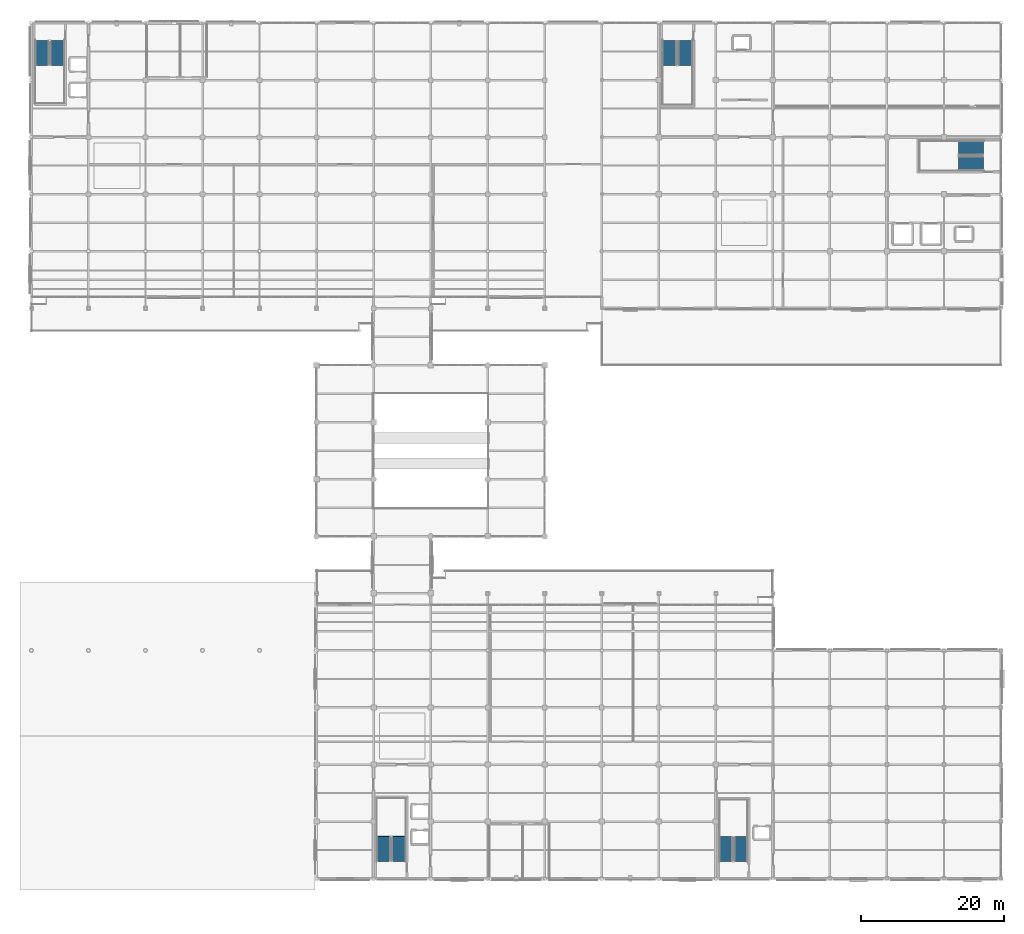
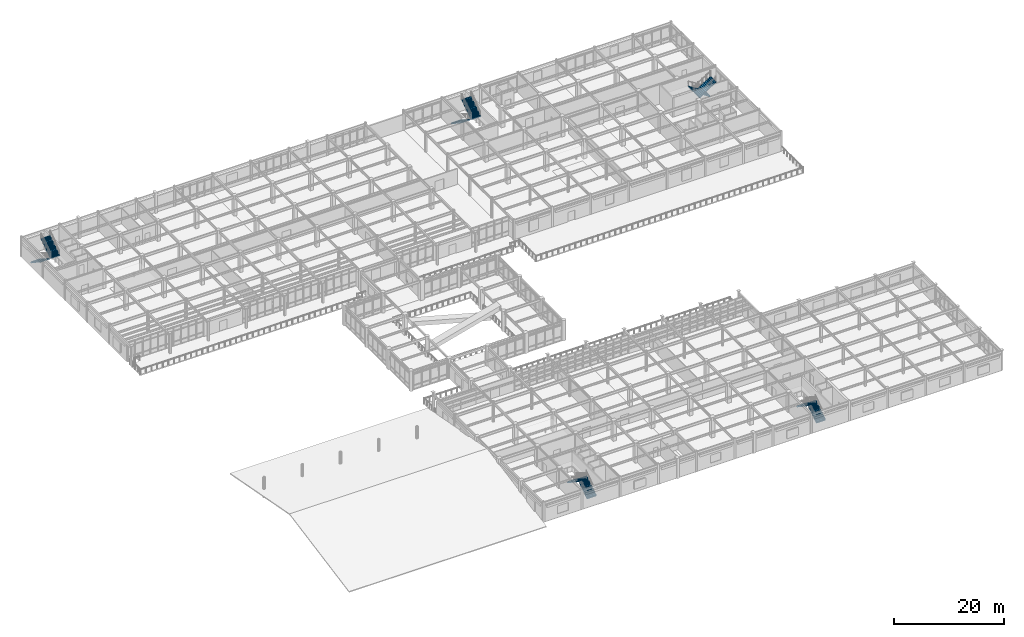
# One storey, part 92 of 111: 10 stair flights, 5 elements without a shape of their own.
"""IFC4 building model written with IfcOpenShell, lengths in metres."""

from ifc_helpers import new_model, si_unit, direction, frame, origin, place, context, subcontext, project, spatial, polyline, outline, extrude, material, type_object, element, aggregate, save


model = new_model("IFC4")

# Units and contexts
model_context = context("Model", 3, precision=1e-05, world=origin(), true_north=direction((0.0, 1.0)))
body_context = subcontext(model_context, "Body", "Model", "MODEL_VIEW")
ifc_project = project(units=[si_unit("LENGTHUNIT", "METRE"), si_unit("AREAUNIT", "SQUARE_METRE"), si_unit("VOLUMEUNIT", "CUBIC_METRE"), si_unit("PLANEANGLEUNIT", "RADIAN"), si_unit("MASSUNIT", "GRAM", prefix="KILO")], contexts=[model_context])

# Site, building, storey
site_placement = place(None, origin())
site = spatial("IfcSite", under=ifc_project, at=site_placement, CompositionType="ELEMENT")
building_placement = place(site_placement, origin())
building = spatial("IfcBuilding", under=site, at=building_placement, Name="Solmirada Galleria", CompositionType="ELEMENT")
storey_placement = place(building_placement, frame((0.0, 0.0, 10.39990234375)))
storey = spatial("IfcBuildingStorey", under=building, at=storey_placement, Name="L02", CompositionType="ELEMENT", Elevation=10.39990234375)

# Stair, stair flights
ifc_material = material(Name="Concrete C35/45", Category="concrete")
stair_type_1 = type_object("IfcStairType", Name="STR-DOG-195-H45", PredefinedType="HALF_TURN_STAIR", material=ifc_material)
stair_1_placement = place(storey_placement, origin())
stair_1 = element("IfcStair", 1, at=stair_1_placement, inside=storey, type_object=stair_type_1, Name="L02 Southeast Podium Core Exit Stair ST6", PredefinedType="HALF_TURN_STAIR")
stair_flight_type_1 = type_object("IfcStairFlightType", Name="SFL-DOG-195-H45", PredefinedType="STRAIGHT", material=ifc_material)
stair_flight_1_placement = place(storey_placement, frame((139.52490234375, 2.449951171875, 0.0), z_axis=(0.0, 0.0, 1.0), x_axis=(0.0, 1.0, 0.0)))
stair_flight_1 = element("IfcStairFlight", 2, at=stair_flight_1_placement, type_object=stair_flight_type_1, Name="ST6 flight 1", NumberOfRisers=13, NumberOfTreads=12, PredefinedType="STRAIGHT", RiserHeight=0.173076923, TreadLength=0.28, context=body_context, shape_type="SweptSolid", body=[
    extrude(outline(polyline([(-0.080078125, 0.0), (0.0, 0.0), (0.0, 0.173095703125), (0.280029296875, 0.173095703125), (0.280029296875, 0.34619140625), (0.56005859375, 0.34619140625), (0.56005859375, 0.519287109375), (0.840087890625, 0.519287109375), (0.840087890625, 0.6923828125), (1.1201171875, 0.6923828125), (1.1201171875, 0.865478515625), (1.39990234375, 0.865478515625), (1.39990234375, 1.03857421875), (1.679931640625, 1.03857421875), (1.679931640625, 1.21142578125), (1.9599609375, 1.21142578125), (1.9599609375, 1.384521484375), (2.239990234375, 1.384521484375), (2.239990234375, 1.5576171875), (2.52001953125, 1.5576171875), (2.52001953125, 1.730712890625), (2.800048828125, 1.730712890625), (2.800048828125, 1.90380859375), (3.080078125, 1.90380859375), (3.080078125, 2.076904296875), (3.360107421875, 2.076904296875), (3.360107421875, 2.25), (3.43994140625, 2.25), (3.43994140625, 2.050048828125), (3.360107421875, 2.050048828125), (0.080078125, -0.179931640625), (-0.080078125, -0.179931640625), (-0.080078125, 0.0)])), frame((0.0, 0.97509765625, 0.0), z_axis=(0.0, -1.0, 0.0), x_axis=(1.0, 0.0, 0.0)), (0.0, 0.0, 1.0), 1.949951171875),
])
stair_flight_2_placement = place(storey_placement, frame((137.425048828125, 5.81005859375, 2.25), z_axis=(0.0, 0.0, 1.0), x_axis=(0.0, -1.0, 0.0)))
stair_flight_2 = element("IfcStairFlight", 3, at=stair_flight_2_placement, type_object=stair_flight_type_1, Name="ST6 flight 2", NumberOfRisers=13, NumberOfTreads=12, PredefinedType="STRAIGHT", RiserHeight=0.173076923, TreadLength=0.28, context=body_context, shape_type="SweptSolid", body=[
    extrude(outline(polyline([(-0.080078125, 0.0), (0.0, 0.0), (0.0, 0.173095703125), (0.280029296875, 0.173095703125), (0.280029296875, 0.34619140625), (0.56005859375, 0.34619140625), (0.56005859375, 0.519287109375), (0.840087890625, 0.519287109375), (0.840087890625, 0.6923828125), (1.1201171875, 0.6923828125), (1.1201171875, 0.865478515625), (1.39990234375, 0.865478515625), (1.39990234375, 1.03857421875), (1.679931640625, 1.03857421875), (1.679931640625, 1.21142578125), (1.9599609375, 1.21142578125), (1.9599609375, 1.384521484375), (2.239990234375, 1.384521484375), (2.239990234375, 1.5576171875), (2.52001953125, 1.5576171875), (2.52001953125, 1.730712890625), (2.800048828125, 1.730712890625), (2.800048828125, 1.90380859375), (3.080078125, 1.90380859375), (3.080078125, 2.076904296875), (3.360107421875, 2.076904296875), (3.360107421875, 2.25), (3.43994140625, 2.25), (3.43994140625, 2.050048828125), (3.360107421875, 2.050048828125), (0.080078125, -0.179931640625), (-0.080078125, -0.179931640625), (-0.080078125, 0.0)])), frame((0.0, 0.97509765625, 0.0), z_axis=(0.0, -1.0, 0.0), x_axis=(1.0, 0.0, 0.0)), (0.0, 0.0, 1.0), 1.949951171875),
])
aggregate(stair_1, [stair_flight_1, stair_flight_2])

stair_type_2 = type_object("IfcStairType", Name="STR-DOG-200-H45", PredefinedType="HALF_TURN_STAIR", material=ifc_material)
stair_2_placement = place(storey_placement, origin())
stair_2 = element("IfcStair", 4, at=stair_2_placement, inside=storey, type_object=stair_type_2, Name="L02 Northwest Sales Core Exit Stair ST1", PredefinedType="HALF_TURN_STAIR")
stair_flight_type_2 = type_object("IfcStairFlightType", Name="SFL-DOG-200-H45", PredefinedType="STRAIGHT", material=ifc_material)
stair_flight_3_placement = place(storey_placement, frame((41.5, 117.5, 0.0), z_axis=(0.0, 0.0, 1.0), x_axis=(0.0, -1.0, 0.0)))
stair_flight_3 = element("IfcStairFlight", 5, at=stair_flight_3_placement, type_object=stair_flight_type_2, Name="ST1 flight 1", NumberOfRisers=13, NumberOfTreads=12, PredefinedType="STRAIGHT", RiserHeight=0.173076923, TreadLength=0.28, context=body_context, shape_type="SweptSolid", body=[
    extrude(outline(polyline([(-0.080078125, 0.0), (0.0, 0.0), (0.0, 0.173095703125), (0.280029296875, 0.173095703125), (0.280029296875, 0.34619140625), (0.56005859375, 0.34619140625), (0.56005859375, 0.519287109375), (0.840087890625, 0.519287109375), (0.840087890625, 0.6923828125), (1.1201171875, 0.6923828125), (1.1201171875, 0.865478515625), (1.39990234375, 0.865478515625), (1.39990234375, 1.03857421875), (1.679931640625, 1.03857421875), (1.679931640625, 1.21142578125), (1.9599609375, 1.21142578125), (1.9599609375, 1.384521484375), (2.239990234375, 1.384521484375), (2.239990234375, 1.5576171875), (2.52001953125, 1.5576171875), (2.52001953125, 1.730712890625), (2.800048828125, 1.730712890625), (2.800048828125, 1.90380859375), (3.080078125, 1.90380859375), (3.080078125, 2.076904296875), (3.360107421875, 2.076904296875), (3.360107421875, 2.25), (3.43994140625, 2.25), (3.43994140625, 2.050048828125), (3.360107421875, 2.050048828125), (0.080078125, -0.179931640625), (-0.080078125, -0.179931640625), (-0.080078125, 0.0)])), frame((0.0, 1.0, 0.0), z_axis=(0.0, -1.0, 0.0), x_axis=(1.0, 0.0, 0.0)), (0.0, 0.0, 1.0), 2.0),
])
stair_flight_4_placement = place(storey_placement, frame((43.64990234375, 114.139892578125, 2.25), z_axis=(0.0, 0.0, 1.0), x_axis=(0.0, 1.0, 0.0)))
stair_flight_4 = element("IfcStairFlight", 6, at=stair_flight_4_placement, type_object=stair_flight_type_2, Name="ST1 flight 2", NumberOfRisers=13, NumberOfTreads=12, PredefinedType="STRAIGHT", RiserHeight=0.173076923, TreadLength=0.28, context=body_context, shape_type="SweptSolid", body=[
    extrude(outline(polyline([(-0.080078125, 0.0), (0.0, 0.0), (0.0, 0.173095703125), (0.280029296875, 0.173095703125), (0.280029296875, 0.34619140625), (0.56005859375, 0.34619140625), (0.56005859375, 0.519287109375), (0.840087890625, 0.519287109375), (0.840087890625, 0.6923828125), (1.1201171875, 0.6923828125), (1.1201171875, 0.865478515625), (1.39990234375, 0.865478515625), (1.39990234375, 1.03857421875), (1.679931640625, 1.03857421875), (1.679931640625, 1.21142578125), (1.9599609375, 1.21142578125), (1.9599609375, 1.384521484375), (2.239990234375, 1.384521484375), (2.239990234375, 1.5576171875), (2.52001953125, 1.5576171875), (2.52001953125, 1.730712890625), (2.800048828125, 1.730712890625), (2.800048828125, 1.90380859375), (3.080078125, 1.90380859375), (3.080078125, 2.076904296875), (3.360107421875, 2.076904296875), (3.360107421875, 2.25), (3.43994140625, 2.25), (3.43994140625, 2.050048828125), (3.360107421875, 2.050048828125), (0.080078125, -0.179931640625), (-0.080078125, -0.179931640625), (-0.080078125, 0.0)])), frame((0.0, 1.0, 0.0), z_axis=(0.0, -1.0, 0.0), x_axis=(1.0, 0.0, 0.0)), (0.0, 0.0, 1.0), 2.0),
])
aggregate(stair_2, [stair_flight_3, stair_flight_4])

stair_3_placement = place(storey_placement, origin())
stair_3 = element("IfcStair", 7, at=stair_3_placement, inside=storey, type_object=stair_type_2, Name="L02 South Sales Core Exit Stair ST2", PredefinedType="HALF_TURN_STAIR")
stair_flight_5_placement = place(storey_placement, frame((91.550048828125, 2.5, 0.0), z_axis=(0.0, 0.0, 1.0), x_axis=(0.0, 1.0, 0.0)))
stair_flight_5 = element("IfcStairFlight", 8, at=stair_flight_5_placement, type_object=stair_flight_type_2, Name="ST2 flight 1", NumberOfRisers=13, NumberOfTreads=12, PredefinedType="STRAIGHT", RiserHeight=0.173076923, TreadLength=0.28, context=body_context, shape_type="SweptSolid", body=[
    extrude(outline(polyline([(-0.080078125, 0.0), (0.0, 0.0), (0.0, 0.173095703125), (0.280029296875, 0.173095703125), (0.280029296875, 0.34619140625), (0.56005859375, 0.34619140625), (0.56005859375, 0.519287109375), (0.840087890625, 0.519287109375), (0.840087890625, 0.6923828125), (1.1201171875, 0.6923828125), (1.1201171875, 0.865478515625), (1.39990234375, 0.865478515625), (1.39990234375, 1.03857421875), (1.679931640625, 1.03857421875), (1.679931640625, 1.21142578125), (1.9599609375, 1.21142578125), (1.9599609375, 1.384521484375), (2.239990234375, 1.384521484375), (2.239990234375, 1.5576171875), (2.52001953125, 1.5576171875), (2.52001953125, 1.730712890625), (2.800048828125, 1.730712890625), (2.800048828125, 1.90380859375), (3.080078125, 1.90380859375), (3.080078125, 2.076904296875), (3.360107421875, 2.076904296875), (3.360107421875, 2.25), (3.43994140625, 2.25), (3.43994140625, 2.050048828125), (3.360107421875, 2.050048828125), (0.080078125, -0.179931640625), (-0.080078125, -0.179931640625), (-0.080078125, 0.0)])), frame((0.0, 1.0, 0.0), z_axis=(0.0, -1.0, 0.0), x_axis=(1.0, 0.0, 0.0)), (0.0, 0.0, 1.0), 2.0),
])
stair_flight_6_placement = place(storey_placement, frame((89.39990234375, 5.860107421875, 2.25), z_axis=(0.0, 0.0, 1.0), x_axis=(0.0, -1.0, 0.0)))
stair_flight_6 = element("IfcStairFlight", 9, at=stair_flight_6_placement, type_object=stair_flight_type_2, Name="ST2 flight 2", NumberOfRisers=13, NumberOfTreads=12, PredefinedType="STRAIGHT", RiserHeight=0.173076923, TreadLength=0.28, context=body_context, shape_type="SweptSolid", body=[
    extrude(outline(polyline([(-0.080078125, 0.0), (0.0, 0.0), (0.0, 0.173095703125), (0.280029296875, 0.173095703125), (0.280029296875, 0.34619140625), (0.56005859375, 0.34619140625), (0.56005859375, 0.519287109375), (0.840087890625, 0.519287109375), (0.840087890625, 0.6923828125), (1.1201171875, 0.6923828125), (1.1201171875, 0.865478515625), (1.39990234375, 0.865478515625), (1.39990234375, 1.03857421875), (1.679931640625, 1.03857421875), (1.679931640625, 1.21142578125), (1.9599609375, 1.21142578125), (1.9599609375, 1.384521484375), (2.239990234375, 1.384521484375), (2.239990234375, 1.5576171875), (2.52001953125, 1.5576171875), (2.52001953125, 1.730712890625), (2.800048828125, 1.730712890625), (2.800048828125, 1.90380859375), (3.080078125, 1.90380859375), (3.080078125, 2.076904296875), (3.360107421875, 2.076904296875), (3.360107421875, 2.25), (3.43994140625, 2.25), (3.43994140625, 2.050048828125), (3.360107421875, 2.050048828125), (0.080078125, -0.179931640625), (-0.080078125, -0.179931640625), (-0.080078125, 0.0)])), frame((0.0, 1.0, 0.0), z_axis=(0.0, -1.0, 0.0), x_axis=(1.0, 0.0, 0.0)), (0.0, 0.0, 1.0), 2.0),
])
aggregate(stair_3, [stair_flight_5, stair_flight_6])

stair_type_3 = type_object("IfcStairType", Name="STR-DOG-205-H45", PredefinedType="HALF_TURN_STAIR", material=ifc_material)
stair_4_placement = place(storey_placement, origin())
stair_4 = element("IfcStair", 10, at=stair_4_placement, inside=storey, type_object=stair_type_3, Name="L02 North Avenue High-Rise Core Exit Stair ST3", PredefinedType="HALF_TURN_STAIR")
stair_flight_type_3 = type_object("IfcStairFlightType", Name="SFL-DOG-205-H45", PredefinedType="STRAIGHT", material=ifc_material)
stair_flight_7_placement = place(storey_placement, frame((129.52490234375, 117.449951171875, 0.0), z_axis=(0.0, 0.0, 1.0), x_axis=(0.0, -1.0, 0.0)))
stair_flight_7 = element("IfcStairFlight", 11, at=stair_flight_7_placement, type_object=stair_flight_type_3, Name="ST3 flight 1", NumberOfRisers=13, NumberOfTreads=12, PredefinedType="STRAIGHT", RiserHeight=0.173076923, TreadLength=0.28, context=body_context, shape_type="SweptSolid", body=[
    extrude(outline(polyline([(-0.080078125, 0.0), (0.0, 0.0), (0.0, 0.173095703125), (0.280029296875, 0.173095703125), (0.280029296875, 0.34619140625), (0.56005859375, 0.34619140625), (0.56005859375, 0.519287109375), (0.840087890625, 0.519287109375), (0.840087890625, 0.6923828125), (1.1201171875, 0.6923828125), (1.1201171875, 0.865478515625), (1.39990234375, 0.865478515625), (1.39990234375, 1.03857421875), (1.679931640625, 1.03857421875), (1.679931640625, 1.21142578125), (1.9599609375, 1.21142578125), (1.9599609375, 1.384521484375), (2.239990234375, 1.384521484375), (2.239990234375, 1.5576171875), (2.52001953125, 1.5576171875), (2.52001953125, 1.730712890625), (2.800048828125, 1.730712890625), (2.800048828125, 1.90380859375), (3.080078125, 1.90380859375), (3.080078125, 2.076904296875), (3.360107421875, 2.076904296875), (3.360107421875, 2.25), (3.43994140625, 2.25), (3.43994140625, 2.050048828125), (3.360107421875, 2.050048828125), (0.080078125, -0.179931640625), (-0.080078125, -0.179931640625), (-0.080078125, 0.0)])), frame((0.0, 1.02490234375, 0.0), z_axis=(0.0, -1.0, 0.0), x_axis=(1.0, 0.0, 0.0)), (0.0, 0.0, 1.0), 2.050048828125),
])
stair_flight_8_placement = place(storey_placement, frame((131.72509765625, 114.090087890625, 2.25), z_axis=(0.0, 0.0, 1.0), x_axis=(0.0, 1.0, 0.0)))
stair_flight_8 = element("IfcStairFlight", 12, at=stair_flight_8_placement, type_object=stair_flight_type_3, Name="ST3 flight 2", NumberOfRisers=13, NumberOfTreads=12, PredefinedType="STRAIGHT", RiserHeight=0.173076923, TreadLength=0.28, context=body_context, shape_type="SweptSolid", body=[
    extrude(outline(polyline([(-0.080078125, 0.0), (0.0, 0.0), (0.0, 0.173095703125), (0.280029296875, 0.173095703125), (0.280029296875, 0.34619140625), (0.56005859375, 0.34619140625), (0.56005859375, 0.519287109375), (0.840087890625, 0.519287109375), (0.840087890625, 0.6923828125), (1.1201171875, 0.6923828125), (1.1201171875, 0.865478515625), (1.39990234375, 0.865478515625), (1.39990234375, 1.03857421875), (1.679931640625, 1.03857421875), (1.679931640625, 1.21142578125), (1.9599609375, 1.21142578125), (1.9599609375, 1.384521484375), (2.239990234375, 1.384521484375), (2.239990234375, 1.5576171875), (2.52001953125, 1.5576171875), (2.52001953125, 1.730712890625), (2.800048828125, 1.730712890625), (2.800048828125, 1.90380859375), (3.080078125, 1.90380859375), (3.080078125, 2.076904296875), (3.360107421875, 2.076904296875), (3.360107421875, 2.25), (3.43994140625, 2.25), (3.43994140625, 2.050048828125), (3.360107421875, 2.050048828125), (0.080078125, -0.179931640625), (-0.080078125, -0.179931640625), (-0.080078125, 0.0)])), frame((0.0, 1.02490234375, 0.0), z_axis=(0.0, -1.0, 0.0), x_axis=(1.0, 0.0, 0.0)), (0.0, 0.0, 1.0), 2.050048828125),
])
aggregate(stair_4, [stair_flight_7, stair_flight_8])

stair_5_placement = place(storey_placement, origin())
stair_5 = element("IfcStair", 13, at=stair_5_placement, inside=storey, type_object=stair_type_3, Name="L02 East Avenue High-Rise and Freight Core Exit Stair ST4", PredefinedType="HALF_TURN_STAIR")
stair_flight_9_placement = place(storey_placement, frame((173.449951171875, 102.47509765625, 0.0), z_axis=(0.0, 0.0, 1.0), x_axis=(-1.0, 0.0, 0.0)))
stair_flight_9 = element("IfcStairFlight", 14, at=stair_flight_9_placement, type_object=stair_flight_type_3, Name="ST4 flight 1", NumberOfRisers=13, NumberOfTreads=12, PredefinedType="STRAIGHT", RiserHeight=0.173076923, TreadLength=0.28, context=body_context, shape_type="SweptSolid", body=[
    extrude(outline(polyline([(-0.080078125, 0.0), (0.0, 0.0), (0.0, 0.173095703125), (0.280029296875, 0.173095703125), (0.280029296875, 0.34619140625), (0.56005859375, 0.34619140625), (0.56005859375, 0.519287109375), (0.840087890625, 0.519287109375), (0.840087890625, 0.6923828125), (1.1201171875, 0.6923828125), (1.1201171875, 0.865478515625), (1.39990234375, 0.865478515625), (1.39990234375, 1.03857421875), (1.679931640625, 1.03857421875), (1.679931640625, 1.21142578125), (1.9599609375, 1.21142578125), (1.9599609375, 1.384521484375), (2.239990234375, 1.384521484375), (2.239990234375, 1.5576171875), (2.52001953125, 1.5576171875), (2.52001953125, 1.730712890625), (2.800048828125, 1.730712890625), (2.800048828125, 1.90380859375), (3.080078125, 1.90380859375), (3.080078125, 2.076904296875), (3.360107421875, 2.076904296875), (3.360107421875, 2.25), (3.43994140625, 2.25), (3.43994140625, 2.050048828125), (3.360107421875, 2.050048828125), (0.080078125, -0.179931640625), (-0.080078125, -0.179931640625), (-0.080078125, 0.0)])), frame((0.0, 1.02490234375, 0.0), z_axis=(0.0, -1.0, 0.0), x_axis=(1.0, 0.0, 0.0)), (0.0, 0.0, 1.0), 2.050048828125),
])
stair_flight_10_placement = place(storey_placement, frame((170.090087890625, 100.27490234375, 2.25), z_axis=(0.0, 0.0, 1.0), x_axis=(1.0, 0.0, 0.0)))
stair_flight_10 = element("IfcStairFlight", 15, at=stair_flight_10_placement, type_object=stair_flight_type_3, Name="ST4 flight 2", NumberOfRisers=13, NumberOfTreads=12, PredefinedType="STRAIGHT", RiserHeight=0.173076923, TreadLength=0.28, context=body_context, shape_type="SweptSolid", body=[
    extrude(outline(polyline([(-0.080078125, 0.0), (0.0, 0.0), (0.0, 0.173095703125), (0.280029296875, 0.173095703125), (0.280029296875, 0.34619140625), (0.56005859375, 0.34619140625), (0.56005859375, 0.519287109375), (0.840087890625, 0.519287109375), (0.840087890625, 0.6923828125), (1.1201171875, 0.6923828125), (1.1201171875, 0.865478515625), (1.39990234375, 0.865478515625), (1.39990234375, 1.03857421875), (1.679931640625, 1.03857421875), (1.679931640625, 1.21142578125), (1.9599609375, 1.21142578125), (1.9599609375, 1.384521484375), (2.239990234375, 1.384521484375), (2.239990234375, 1.5576171875), (2.52001953125, 1.5576171875), (2.52001953125, 1.730712890625), (2.800048828125, 1.730712890625), (2.800048828125, 1.90380859375), (3.080078125, 1.90380859375), (3.080078125, 2.076904296875), (3.360107421875, 2.076904296875), (3.360107421875, 2.25), (3.43994140625, 2.25), (3.43994140625, 2.050048828125), (3.360107421875, 2.050048828125), (0.080078125, -0.179931640625), (-0.080078125, -0.179931640625), (-0.080078125, 0.0)])), frame((0.0, 1.02490234375, 0.0), z_axis=(0.0, -1.0, 0.0), x_axis=(1.0, 0.0, 0.0)), (0.0, 0.0, 1.0), 2.050048828125),
])
aggregate(stair_5, [stair_flight_9, stair_flight_10])

save(model, "model.ifc")
